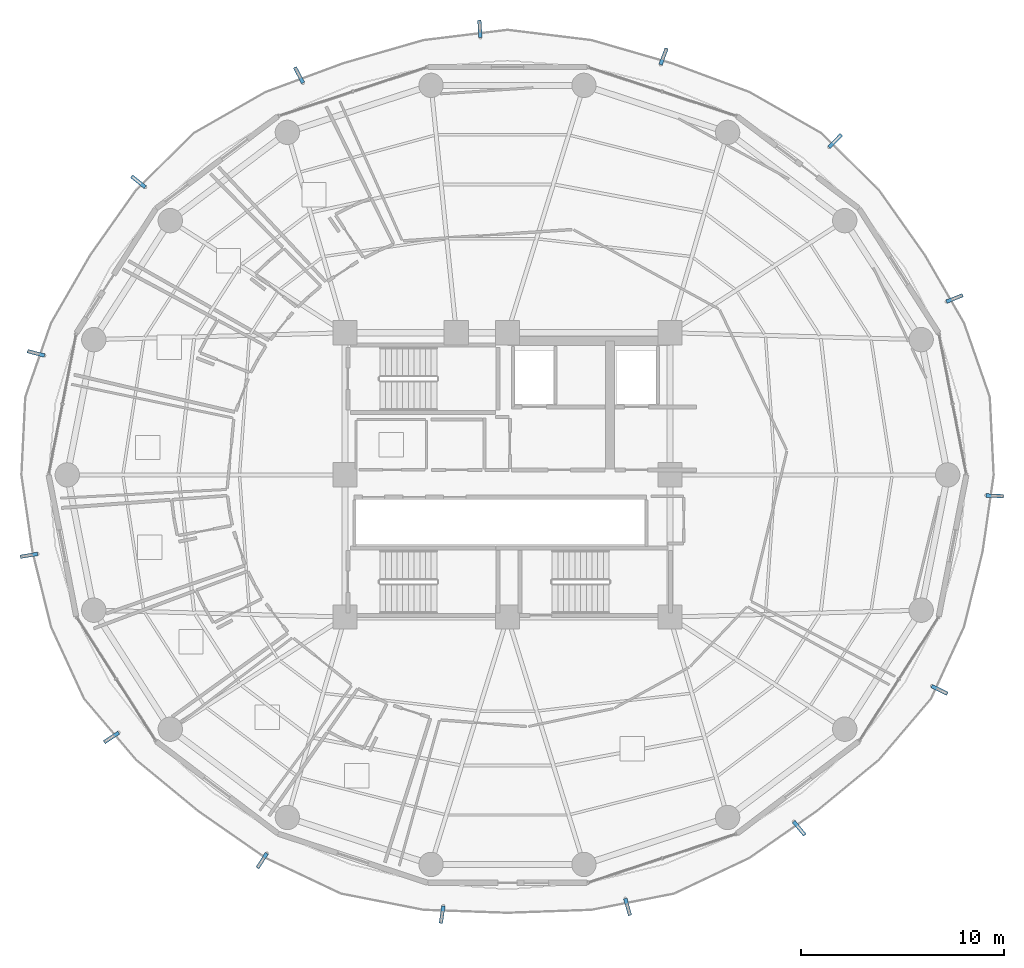
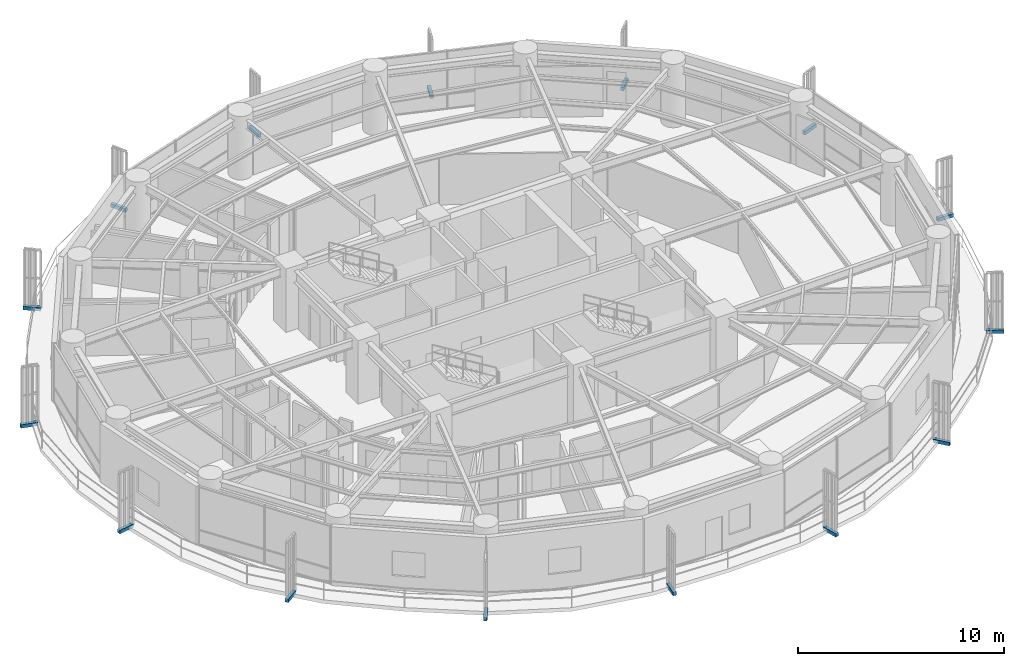
# One storey, part 25 of 29: 15 discrete accessories.
"""IFC4 building model written with IfcOpenShell, lengths in metres."""

import ifcopenshell
import ifcopenshell.guid

model = None  # the IFC model being written
_history = None  # IfcOwnerHistory: only IFC2X3 demands one
_inside = {}  # id of a spatial element -> (the spatial element, [elements in it])
_under = {}  # id of a project, library or spatial element -> (it, [spatial elements below it])
_declared = {}  # id of a project -> (the project, [libraries it declares])
_typed = {}  # id of a type object -> (the type object, [elements of that type])
_made_of = {}  # id of a material, layer set ... -> (it, [elements and type objects made of it])


def new_model(schema):
    """Start an empty IFC model of exactly this schema.

    Asked for "IFC4X3", IfcOpenShell would pick the latest addendum, in which some entities
    have other attributes; the version numbers below select the first issue.
    IFC2X3 requires an IfcOwnerHistory on every rooted entity: one is made here for all.
    """
    global model, _history
    if schema == "IFC4X3":
        model = ifcopenshell.file(schema_version=(4, 3, 0, 0))
    else:
        model = ifcopenshell.file(schema=schema)
    _inside.clear()
    _under.clear()
    _declared.clear()
    _typed.clear()
    _made_of.clear()
    _history = None
    if model.schema == "IFC2X3":
        org = make("IfcOrganization", Name="unknown")
        user = make(
            "IfcPersonAndOrganization",
            ThePerson=make("IfcPerson", FamilyName="unknown"),
            TheOrganization=org,
        )
        app = make(
            "IfcApplication",
            ApplicationDeveloper=org,
            Version="unknown",
            ApplicationFullName="unknown",
            ApplicationIdentifier="unknown",
        )
        _history = make(
            "IfcOwnerHistory",
            OwningUser=user,
            OwningApplication=app,
            ChangeAction="ADDED",
            CreationDate=0,
        )
    return model


def make(cls, **values):
    """One entity of the class cls with the attributes given. An attribute that is None is left unset."""
    return model.create_entity(
        cls, **{name: value for name, value in values.items() if value is not None}
    )


def rooted(cls, **values):
    """An entity with a GlobalId (a new one), such as an element, a storey or a relation."""
    return make(cls, GlobalId=ifcopenshell.guid.new(), OwnerHistory=_history, **values)


def si_unit(unit_type, name, prefix=None):
    """IfcSIUnit, for example si_unit("LENGTHUNIT", "METRE", prefix="MILLI")."""
    return make("IfcSIUnit", UnitType=unit_type, Prefix=prefix, Name=name)


def assignment(units):
    """IfcUnitAssignment: the units of a project."""
    return None if units is None else make("IfcUnitAssignment", Units=units)


def point(xyz):
    """IfcCartesianPoint."""
    return None if xyz is None else make("IfcCartesianPoint", Coordinates=xyz)


def direction(xyz):
    """IfcDirection."""
    return None if xyz is None else make("IfcDirection", DirectionRatios=xyz)


def frame(location, z_axis=None, x_axis=None):
    """IfcAxis2Placement3D, a coordinate frame: its origin and axes. An axis left out is left unset."""
    return make(
        "IfcAxis2Placement3D",
        Location=point(location),
        Axis=direction(z_axis),
        RefDirection=direction(x_axis),
    )


def frame_2d(location, x_axis=None):
    """IfcAxis2Placement2D, a coordinate frame in the plane: its origin and x axis."""
    return make(
        "IfcAxis2Placement2D", Location=point(location), RefDirection=direction(x_axis)
    )


def origin():
    """The frame at (0, 0, 0) with its axes left unset."""
    return frame((0.0, 0.0, 0.0))


def origin_2d():
    """The frame at (0, 0) in the plane with its x axis left unset."""
    return frame_2d((0.0, 0.0))


def place(relative_to, where):
    """IfcLocalPlacement: puts the frame where relative to a parent placement (None: the world)."""
    return make(
        "IfcLocalPlacement", PlacementRelTo=relative_to, RelativePlacement=where
    )


def context(
    kind, dimensions, precision=None, world=None, true_north=None, identifier=None
):
    """IfcGeometricRepresentationContext, for example the 3D "Model" context."""
    return make(
        "IfcGeometricRepresentationContext",
        ContextIdentifier=identifier,
        ContextType=kind,
        CoordinateSpaceDimension=dimensions,
        Precision=precision,
        WorldCoordinateSystem=world,
        TrueNorth=true_north,
    )


def subcontext(parent, identifier, kind, view, scale=None):
    """IfcGeometricRepresentationSubContext, for example "Body" below "Model"."""
    return make(
        "IfcGeometricRepresentationSubContext",
        ContextIdentifier=identifier,
        ContextType=kind,
        ParentContext=parent,
        TargetScale=scale,
        TargetView=view,
    )


def project(units=None, contexts=None):
    """IfcProject with its units and contexts."""
    return rooted(
        "IfcProject",
        Name="project",
        RepresentationContexts=contexts,
        UnitsInContext=assignment(units),
    )


def spatial(cls, under=None, at=None, **own):
    """A site, building, storey or space (cls), placed at a placement, below another one or the project."""
    s = rooted(cls, ObjectPlacement=at, **own)
    if under is not None:
        _under.setdefault(under.id(), (under, []))[1].append(s)
    return s


def profile(cls, at=None, kind="AREA", **sizes):
    """A parametric profile (cls). Its sizes go by their IFC names, for example OverallWidth=200.0."""
    return make(cls, ProfileType=kind, Position=at, **sizes)


def rectangle(**sizes):
    """IfcRectangleProfileDef."""
    return profile("IfcRectangleProfileDef", **sizes)


def extrude(swept, where, along, depth):
    """IfcExtrudedAreaSolid: the profile swept, set in the frame where, extruded along a direction by depth."""
    return make(
        "IfcExtrudedAreaSolid",
        SweptArea=swept,
        Position=where,
        ExtrudedDirection=direction(along),
        Depth=depth,
    )


def shape(context_of_items, identifier, shape_type, items):
    """IfcShapeRepresentation: the items that make up one representation, for example the "Body"."""
    return make(
        "IfcShapeRepresentation",
        ContextOfItems=context_of_items,
        RepresentationIdentifier=identifier,
        RepresentationType=shape_type,
        Items=items,
    )


def source(mapping_origin, context_of_items, identifier, shape_type, items):
    """IfcRepresentationMap: a shape defined once, which mapped items show again and again."""
    return make(
        "IfcRepresentationMap",
        MappingOrigin=mapping_origin,
        MappedRepresentation=shape(context_of_items, identifier, shape_type, items),
    )


def transform(
    local_origin,
    x_axis=None,
    y_axis=None,
    z_axis=None,
    scale=None,
    scale2=None,
    scale3=None,
    uniform=True,
):
    """IfcCartesianTransformationOperator3D, or its non-uniform kind. x_axis, y_axis, z_axis: its Axis1, 2, 3."""
    if uniform:
        return make(
            "IfcCartesianTransformationOperator3D",
            Axis1=direction(x_axis),
            Axis2=direction(y_axis),
            LocalOrigin=point(local_origin),
            Scale=scale,
            Axis3=direction(z_axis),
        )
    return make(
        "IfcCartesianTransformationOperator3DnonUniform",
        Axis1=direction(x_axis),
        Axis2=direction(y_axis),
        LocalOrigin=point(local_origin),
        Scale=scale,
        Axis3=direction(z_axis),
        Scale2=scale2,
        Scale3=scale3,
    )


def mapped(mapping_source, mapping_target):
    """IfcMappedItem: shows the shape of a source again, moved by a transform."""
    return make(
        "IfcMappedItem", MappingSource=mapping_source, MappingTarget=mapping_target
    )


def material(Name=None, Category=None):
    """IfcMaterial."""
    return make("IfcMaterial", Name=Name, Category=Category)


def made_of(thing, what):
    """Note that an element or type object is made of a material, layer set ...; save() writes the relation."""
    if what is not None:
        _made_of.setdefault(what.id(), (what, []))[1].append(thing)
    return thing


def type_object(cls, material=None, **own):
    """A type object (cls), such as IfcWallType, which elements share."""
    return made_of(rooted(cls, **own), material)


def element(
    cls,
    number,
    at=None,
    inside=None,
    cuts=None,
    type_object=None,
    material=None,
    context=None,
    identifier="Body",
    shape_type=None,
    held_by="IfcProductDefinitionShape",
    body=None,
    shapes=None,
    **own,
):
    """One element of the class cls, such as IfcWall. Its Tag is "e" and its number.

    at: its placement. inside: the storey or other place that contains it. cuts: it is an
    opening in that element (IfcRelVoidsElement). A single representation is given by context,
    identifier, shape_type and body (its items); several are given by shapes. held_by: the class
    of the entity that holds the representations. save() writes the other relations.
    """
    e = rooted(cls, Tag="e%d" % number, ObjectPlacement=at, **own)
    if body is not None:
        shapes = [shape(context, identifier, shape_type, body)]
    if shapes is not None:
        e.Representation = make(held_by, Representations=shapes)
    if inside is not None:
        _inside.setdefault(inside.id(), (inside, []))[1].append(e)
    if cuts is not None:
        rooted(
            "IfcRelVoidsElement", RelatingBuildingElement=cuts, RelatedOpeningElement=e
        )
    if type_object is not None:
        _typed.setdefault(type_object.id(), (type_object, []))[1].append(e)
    return made_of(e, material)


def aggregate(whole, parts):
    """IfcRelAggregates: a whole, such as a stair, and the parts it consists of."""
    return rooted("IfcRelAggregates", RelatingObject=whole, RelatedObjects=parts)


def save(model, path):
    """Write the relations noted so far, then the file.

    IfcRelAggregates (storeys below a building ...), IfcRelContainedInSpatialStructure (elements
    in a storey), IfcRelDefinesByType, IfcRelAssociatesMaterial and IfcRelDeclares: one each for
    every whole, place, type object, material and project.
    """
    for whole, parts in _under.values():
        aggregate(whole, parts)
    for where, things in _inside.values():
        rooted(
            "IfcRelContainedInSpatialStructure",
            RelatedElements=things,
            RelatingStructure=where,
        )
    for kind, things in _typed.values():
        rooted("IfcRelDefinesByType", RelatedObjects=things, RelatingType=kind)
    for what, things in _made_of.values():
        rooted("IfcRelAssociatesMaterial", RelatedObjects=things, RelatingMaterial=what)
    for by, libraries in _declared.values():
        rooted("IfcRelDeclares", RelatingContext=by, RelatedDefinitions=libraries)
    model.write(path)


model = new_model("IFC4")

# Units and contexts
model_context = context("Model", 3, precision=1e-05, world=origin(), true_north=direction((0.0, 1.0)))
body_context = subcontext(model_context, "Body", "Model", "MODEL_VIEW")
ifc_project = project(units=[si_unit("LENGTHUNIT", "METRE"), si_unit("AREAUNIT", "SQUARE_METRE"), si_unit("VOLUMEUNIT", "CUBIC_METRE"), si_unit("PLANEANGLEUNIT", "RADIAN"), si_unit("MASSUNIT", "GRAM", prefix="KILO")], contexts=[model_context])

# Site, building, storey
site_placement = place(None, origin())
site = spatial("IfcSite", under=ifc_project, at=site_placement, CompositionType="ELEMENT")
building_placement = place(site_placement, origin())
building = spatial("IfcBuilding", under=site, at=building_placement, Name="Kelanora Arch Commons", CompositionType="ELEMENT")
storey_placement = place(building_placement, frame((0.0, 0.0, 135.60009765625)))
storey = spatial("IfcBuildingStorey", under=building, at=storey_placement, Name="L34", CompositionType="ELEMENT", Elevation=135.60009765625)

# Discrete accessories
ifc_material = material(Name="Stainless steel 316 marine fin bracket", Category="steel")
discrete_accessory_type = type_object("IfcDiscreteAccessoryType", Name="ACC-FIN-BRK", PredefinedType="BRACKET", material=ifc_material)
shared_shape = source(origin(), body_context, "Body", "SweptSolid", [
    extrude(rectangle(XDim=0.860107421875, YDim=0.179931640625, at=origin_2d()), origin(), (0.0, 0.0, 1.0), 0.199951171875),
])
for number, where, z_axis, x_axis, name in (
    (1, (96.019775390625, 66.6923828125, -0.16015625), (0.0, 0.0, 1.0), (0.930161475141, 0.367150691357, 0.0), "Sweeping Fin Cantilever Spine Bracket L34-00"),
    (2, (90.139404296875, 74.447509765625, -0.16015625), (0.0, 0.0, 1.0), (0.700411150784, 0.713739602276, 0.0), "Sweeping Fin Cantilever Spine Bracket L34-01"),
    (3, (81.687255859375, 78.6064453125, -0.16015625), (0.0, 0.0, 1.0), (0.349553375421, 0.936916451842, 0.0), "Sweeping Fin Cantilever Spine Bracket L34-02"),
    (4, (72.640380859375, 79.964599609375, -0.16015625), (0.0, 0.0, 1.0), (-0.061745354146, 0.998091935265, 0.0), "Sweeping Fin Cantilever Spine Bracket L34-03"),
    (5, (63.732421875, 77.688720703125, -0.16015625), (0.0, 0.0, 1.0), (-0.462367751041, 0.886688255701, 0.0), "Sweeping Fin Cantilever Spine Bracket L34-04"),
    (6, (55.824462890625, 72.435791015625, -0.16015625), (0.0, 0.0, 1.0), (-0.783042563302, 0.621968121415, 0.0), "Sweeping Fin Cantilever Spine Bracket L34-05"),
    (7, (50.779541015625, 63.987060546875, -0.16015625), (0.0, 0.0, 1.0), (-0.96832220265, 0.249704048534, 0.0), "Sweeping Fin Cantilever Spine Bracket L34-06"),
    (8, (50.4375, 54.039306640625, -0.16015625), (0.0, 0.0, 1.0), (-0.986170136229, -0.165736122828, 0.0), "Sweeping Fin Cantilever Spine Bracket L34-07"),
    (9, (54.498291015625, 45.071533203125, -0.16015625), (0.0, 0.0, 1.0), (-0.833500294179, -0.552519012888, 0.0), "Sweeping Fin Cantilever Spine Bracket L34-08"),
    (10, (61.91748046875, 39.00341796875, -0.16015625), (0.0, 0.0, 1.0), (-0.536710679153, -0.843766346142, 0.0), "Sweeping Fin Cantilever Spine Bracket L34-09"),
    (11, (70.780029296875, 36.34521484375, -0.16015625), (0.0, 0.0, 1.0), (-0.147118911839, -0.989118812772, 0.0), "Sweeping Fin Cantilever Spine Bracket L34-10"),
    (12, (79.917236328125, 36.723388671875, -0.16015625), (0.0, 0.0, 1.0), (0.267911051866, -0.963443650811, 0.0), "Sweeping Fin Cantilever Spine Bracket L34-11"),
    (13, (88.368896484375, 40.59521484375, -0.16015625), (0.0, 0.0, 1.0), (0.636616760808, -0.771180329014, 0.0), "Sweeping Fin Cantilever Spine Bracket L34-12"),
    (14, (95.280029296875, 47.40966796875, -0.16015625), (0.0, 0.0, 1.0), (0.895245648325, -0.445572922377, 0.0), "Sweeping Fin Cantilever Spine Bracket L34-13"),
    (15, (98.001708984375, 56.9697265625, -0.16015625), (0.0, 0.0, 1.0), (0.999078430194, -0.042921909558, 0.0), "Sweeping Fin Cantilever Spine Bracket L34-14"),
):
    element("IfcDiscreteAccessory", number, at=place(storey_placement, frame(where, z_axis=z_axis, x_axis=x_axis)), inside=storey, type_object=discrete_accessory_type, Name=name, PredefinedType="BRACKET", context=body_context, shape_type="MappedRepresentation", body=[
        mapped(shared_shape, transform((0.0, 0.0, 0.0), scale=1.0)),
    ])

save(model, "model.ifc")
